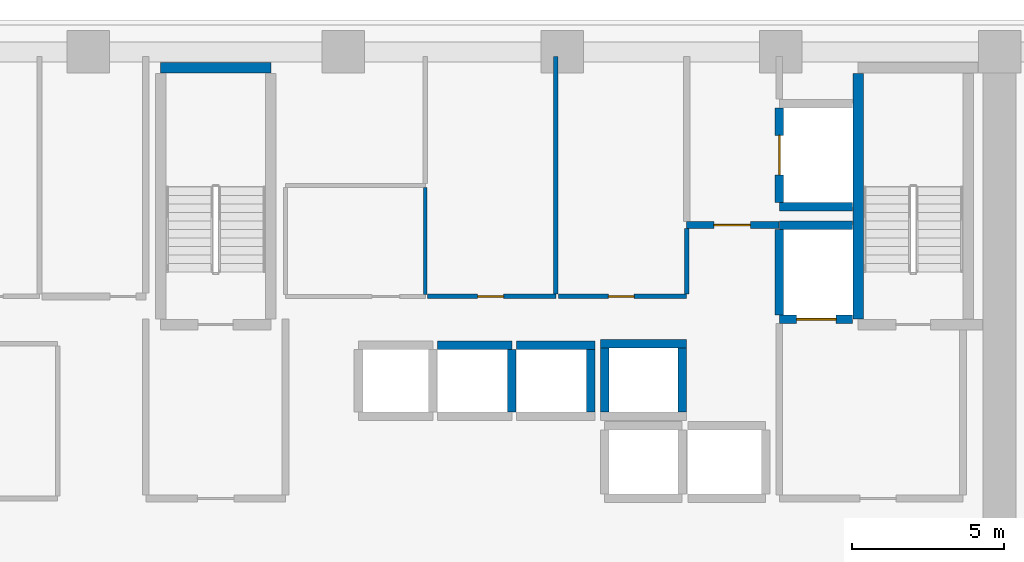
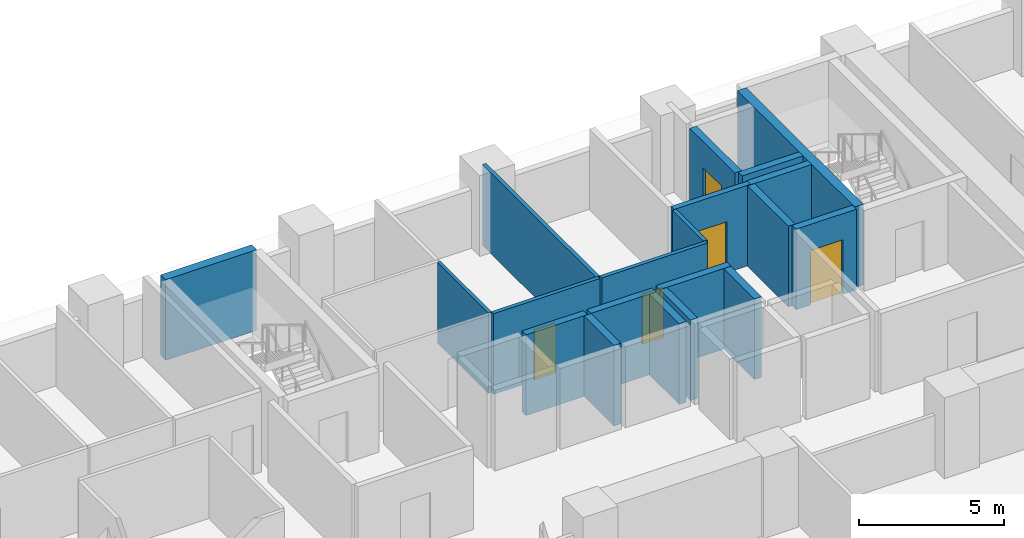
# One storey, part 7 of 14: 20 walls, 5 doors, 5 openings.
"""IFC4 building model written with IfcOpenShell, lengths in metres."""

from ifc_helpers import new_model, si_unit, direction, frame, frame_2d, origin, place, context, subcontext, project, spatial, rectangle, extrude, material, layer, layer_set, type_object, element, fill, save


model = new_model("IFC4")

# Units and contexts
model_context = context("Model", 3, precision=1e-05, world=origin(), true_north=direction((0.0, 1.0)))
body_context = subcontext(model_context, "Body", "Model", "MODEL_VIEW")
ifc_project = project(units=[si_unit("LENGTHUNIT", "METRE"), si_unit("AREAUNIT", "SQUARE_METRE"), si_unit("VOLUMEUNIT", "CUBIC_METRE"), si_unit("PLANEANGLEUNIT", "RADIAN"), si_unit("MASSUNIT", "GRAM", prefix="KILO")], contexts=[model_context])

# Site, building, storey
site_placement = place(None, origin())
site = spatial("IfcSite", under=ifc_project, at=site_placement, CompositionType="ELEMENT")
building_placement = place(site_placement, origin())
building = spatial("IfcBuilding", under=site, at=building_placement, Name="Kaelvorn Grand Hotel", CompositionType="ELEMENT")
storey_placement = place(building_placement, frame((0.0, 0.0, 76.39990234375)))
storey = spatial("IfcBuildingStorey", under=building, at=storey_placement, Name="L17", CompositionType="ELEMENT", Elevation=76.39990234375)

# Wall
ifc_material_1 = material(Name="Moisture-Resistant Tile & Stud Board")
ifc_layer_1 = layer(ifc_material_1, 0.125)
ifc_layer_set_1 = layer_set([ifc_layer_1], Name="Moisture-Resistant Tile & Stud Board")
wall_type_1 = type_object("IfcWallType", Name="WL-PART-125-WET", PredefinedType="PARTITIONING", material=ifc_layer_set_1)
wall_1_placement = place(storey_placement, frame((48.89990234375, 41.017578125, 0.0), z_axis=(0.0, 0.0, 1.0), x_axis=(0.0, 1.0, 0.0)))
element("IfcWall", 1, at=wall_1_placement, inside=storey, type_object=wall_type_1, Name="L17 Accessible WC E Partition", PredefinedType="PARTITIONING", context=body_context, shape_type="SweptSolid", body=[
    extrude(rectangle(XDim=3.514892578125, YDim=0.125, at=frame_2d((1.75732421875, 0.0))), origin(), (0.0, 0.0, 1.0), 3.400146484375),
])

# Wall, opening, door
ifc_material_2 = material(Name="Acoustic Gypsum & Stud Partition")
ifc_layer_2 = layer(ifc_material_2, 0.14990234375)
ifc_layer_set_2 = layer_set([ifc_layer_2], Name="Acoustic Gypsum & Stud Partition")
wall_type_2 = type_object("IfcWallType", Name="WL-PART-150-EI60", PredefinedType="PARTITIONING", material=ifc_layer_set_2)
wall_2_placement = place(storey_placement, frame((48.967529296875, 40.949951171875, 0.0), z_axis=(0.0, 0.0, 1.0), x_axis=(1.0, 0.0, 0.0)))
wall_2 = element("IfcWall", 2, at=wall_2_placement, inside=storey, type_object=wall_type_2, Name="L17 Minibar & Glassware Store S Partition", PredefinedType="PARTITIONING", context=body_context, shape_type="SweptSolid", body=[
    extrude(rectangle(XDim=4.232421875, YDim=0.14990234375, at=frame_2d((2.1162109375, 0.0))), origin(), (0.0, 0.0, 1.0), 3.400146484375),
])
opening_1_placement = place(wall_2_placement, frame((1.657470703125, 0.0, 0.0)))
opening_1 = element("IfcOpeningElement", 3, at=opening_1_placement, cuts=wall_2, Name="Opening DI7", PredefinedType="OPENING", context=body_context, shape_type="SweptSolid", body=[
    extrude(rectangle(XDim=0.85009765625, YDim=2.10009765625, at=frame_2d((0.425048828125, 1.050048828125))), frame((0.0, 0.0849609375, 0.0), z_axis=(0.0, -1.0, 0.0), x_axis=(1.0, 0.0, 0.0)), (0.0, 0.0, 1.0), 0.169921875),
])
ifc_material_3 = material(Name="Powder-Coated Steel Leaf", Category="steel")
door_type_1 = type_object("IfcDoorType", Name="DR-INT-RISER-850x2100", OperationType="NOTDEFINED", PredefinedType="DOOR", material=ifc_material_3)
door_1_placement = place(opening_1_placement, origin())
door_1 = element("IfcDoor", 4, at=door_1_placement, inside=storey, type_object=door_type_1, Name="L17 Minibar & Glassware Store Door", OperationType="SINGLE_SWING_LEFT", OverallHeight=2.10009765625, OverallWidth=0.85009765625, PredefinedType="DOOR", context=body_context, shape_type="SweptSolid", body=[
    extrude(rectangle(XDim=0.85009765625, YDim=2.10009765625, at=frame_2d((0.425048828125, 1.050048828125))), frame((0.0, 0.02490234375, 0.0), z_axis=(0.0, -1.0, 0.0), x_axis=(1.0, 0.0, 0.0)), (0.0, 0.0, 1.0), 0.050048828125),
])
fill(opening_1, door_1)

# Wall
wall_3_placement = place(storey_placement, frame((53.199951171875, 41.030029296875, 0.0), z_axis=(0.0, 0.0, 1.0), x_axis=(0.0, 1.0, 0.0)))
element("IfcWall", 5, at=wall_3_placement, inside=storey, type_object=wall_type_2, Name="L17 Minibar & Glassware Store E Partition", PredefinedType="PARTITIONING", context=body_context, shape_type="SweptSolid", body=[
    extrude(rectangle(XDim=7.820068359375, YDim=0.14990234375, at=frame_2d((3.91015625, 0.0))), origin(), (0.0, 0.0, 1.0), 3.400146484375),
])

# Wall, opening, door
wall_4_placement = place(storey_placement, frame((53.280029296875, 40.949951171875, 0.0), z_axis=(0.0, 0.0, 1.0), x_axis=(1.0, 0.0, 0.0)))
wall_4 = element("IfcWall", 6, at=wall_4_placement, inside=storey, type_object=wall_type_2, Name="L17 Floor IT & Comms Room S Partition", PredefinedType="PARTITIONING", context=body_context, shape_type="SweptSolid", body=[
    extrude(rectangle(XDim=4.219970703125, YDim=0.14990234375, at=frame_2d((2.10986328125, 0.0))), origin(), (0.0, 0.0, 1.0), 3.400146484375),
])
opening_2_placement = place(wall_4_placement, frame((1.64501953125, 0.0, 0.0)))
opening_2 = element("IfcOpeningElement", 7, at=opening_2_placement, cuts=wall_4, Name="Opening DI7", PredefinedType="OPENING", context=body_context, shape_type="SweptSolid", body=[
    extrude(rectangle(XDim=0.85009765625, YDim=2.10009765625, at=frame_2d((0.425048828125, 1.050048828125))), frame((0.0, 0.0849609375, 0.0), z_axis=(0.0, -1.0, 0.0), x_axis=(1.0, 0.0, 0.0)), (0.0, 0.0, 1.0), 0.169921875),
])
door_2_placement = place(opening_2_placement, origin())
door_2 = element("IfcDoor", 8, at=door_2_placement, inside=storey, type_object=door_type_1, Name="L17 Floor IT & Comms Room Door", OperationType="SINGLE_SWING_RIGHT", OverallHeight=2.10009765625, OverallWidth=0.85009765625, PredefinedType="DOOR", context=body_context, shape_type="SweptSolid", body=[
    extrude(rectangle(XDim=0.85009765625, YDim=2.10009765625, at=frame_2d((0.425048828125, 1.050048828125))), frame((0.0, 0.02490234375, 0.0), z_axis=(0.0, -1.0, 0.0), x_axis=(1.0, 0.0, 0.0)), (0.0, 0.0, 1.0), 0.050048828125),
])
fill(opening_2, door_2)

# Wall
wall_5_placement = place(storey_placement, frame((57.5, 41.030029296875, 0.0), z_axis=(0.0, 0.0, 1.0), x_axis=(0.0, 1.0, 0.0)))
element("IfcWall", 9, at=wall_5_placement, inside=storey, type_object=wall_type_2, Name="L17 Floor IT & Comms Room E Partition", PredefinedType="PARTITIONING", context=body_context, shape_type="SweptSolid", body=[
    extrude(rectangle(XDim=2.155029296875, YDim=0.14990234375, at=frame_2d((1.07763671875, 0.0))), origin(), (0.0, 0.0, 1.0), 3.400146484375),
])

# Wall, opening, door
ifc_material_4 = material(Name="Concrete C40/50", Category="concrete")
ifc_layer_3 = layer(ifc_material_4, 0.219970703125)
ifc_layer_set_3 = layer_set([ifc_layer_3], Name="Concrete C40/50")
wall_type_3 = type_object("IfcWallType", Name="WL-PART-220-EI120", PredefinedType="PARTITIONING", material=ifc_layer_set_3)
wall_6_placement = place(storey_placement, frame((57.5, 43.300048828125, 0.0), z_axis=(0.0, 0.0, 1.0), x_axis=(1.0, 0.0, 0.0)))
wall_6 = element("IfcWall", 10, at=wall_6_placement, inside=storey, type_object=wall_type_3, Name="L17 Service Lift Lobby S Partition", PredefinedType="PARTITIONING", context=body_context, shape_type="SweptSolid", body=[
    extrude(rectangle(XDim=3.0400390625, YDim=0.219970703125, at=frame_2d((1.52001953125, 0.0))), origin(), (0.0, 0.0, 1.0), 3.400146484375),
])
opening_3_placement = place(wall_6_placement, frame((0.89990234375, 0.0, 0.0)))
opening_3 = element("IfcOpeningElement", 11, at=opening_3_placement, cuts=wall_6, Name="Opening DI2", PredefinedType="OPENING", context=body_context, shape_type="SweptSolid", body=[
    extrude(rectangle(XDim=1.199951171875, YDim=2.14990234375, at=frame_2d((0.60009765625, 1.074951171875))), frame((0.0, 0.1201171875, 0.0), z_axis=(0.0, -1.0, 0.0), x_axis=(1.0, 0.0, 0.0)), (0.0, 0.0, 1.0), 0.239990234375),
])
ifc_material_5 = material(Name="Timber Veneer Fire Leaf", Category="wood")
door_type_2 = type_object("IfcDoorType", Name="DR-INT-FFLOB-1200x2150", OperationType="NOTDEFINED", PredefinedType="DOOR", material=ifc_material_5)
door_3_placement = place(opening_3_placement, origin())
door_3 = element("IfcDoor", 12, at=door_3_placement, inside=storey, type_object=door_type_2, Name="L17 Service Lift Lobby Door", OperationType="SINGLE_SWING_LEFT", OverallHeight=2.14990234375, OverallWidth=1.199951171875, PredefinedType="DOOR", context=body_context, shape_type="SweptSolid", body=[
    extrude(rectangle(XDim=1.199951171875, YDim=2.14990234375, at=frame_2d((0.60009765625, 1.074951171875))), frame((0.0, 0.02490234375, 0.0), z_axis=(0.0, -1.0, 0.0), x_axis=(1.0, 0.0, 0.0)), (0.0, 0.0, 1.0), 0.050048828125),
])
fill(opening_3, door_3)

# Walls
ifc_material_6 = material(Name="Concrete C50/60", Category="concrete")
ifc_layer_4 = layer(ifc_material_6, 0.280029296875)
ifc_layer_set_4 = layer_set([ifc_layer_4], Name="Concrete C50/60")
wall_type_4 = type_object("IfcWallType", Name="WL-SHAFT-280-C50", PredefinedType="SHEAR", material=ifc_layer_set_4)
wall_7_placement = place(storey_placement, frame((49.300048828125, 39.35009765625, 0.0), z_axis=(0.0, 0.0, 1.0), x_axis=(1.0, 0.0, 0.0)))
element("IfcWall", 13, at=wall_7_placement, inside=storey, type_object=wall_type_4, Name="L17 Lift SL-2 Shaft North Wall", PredefinedType="SHEAR", context=body_context, shape_type="SweptSolid", body=[
    extrude(rectangle(XDim=2.449951171875, YDim=0.280029296875, at=frame_2d((1.22509765625, 0.0))), origin(), (0.0, 0.0, 1.0), 3.400146484375),
])
wall_8_placement = place(storey_placement, frame((51.75, 37.14501953125, 0.0), z_axis=(0.0, 0.0, 1.0), x_axis=(0.0, 1.0, 0.0)))
element("IfcWall", 14, at=wall_8_placement, inside=storey, type_object=wall_type_4, Name="L17 Lift SL-2 Shaft East Wall", PredefinedType="SHEAR", context=body_context, shape_type="SweptSolid", body=[
    extrude(rectangle(XDim=2.06005859375, YDim=0.280029296875, at=frame_2d((1.030029296875, 0.0))), origin(), (0.0, 0.0, 1.0), 3.400146484375),
])
wall_9_placement = place(storey_placement, frame((51.89990234375, 39.35009765625, 0.0), z_axis=(0.0, 0.0, 1.0), x_axis=(1.0, 0.0, 0.0)))
element("IfcWall", 15, at=wall_9_placement, inside=storey, type_object=wall_type_4, Name="L17 Lift SL-3 Shaft North Wall", PredefinedType="SHEAR", context=body_context, shape_type="SweptSolid", body=[
    extrude(rectangle(XDim=2.590087890625, YDim=0.280029296875, at=frame_2d((1.294921875, 0.0))), origin(), (0.0, 0.0, 1.0), 3.400146484375),
])
wall_10_placement = place(storey_placement, frame((54.35009765625, 37.14501953125, 0.0), z_axis=(0.0, 0.0, 1.0), x_axis=(0.0, 1.0, 0.0)))
element("IfcWall", 16, at=wall_10_placement, inside=storey, type_object=wall_type_4, Name="L17 Lift SL-3 Shaft East Wall", PredefinedType="SHEAR", context=body_context, shape_type="SweptSolid", body=[
    extrude(rectangle(XDim=2.06005859375, YDim=0.280029296875, at=frame_2d((1.030029296875, 0.0))), origin(), (0.0, 0.0, 1.0), 3.400146484375),
])
wall_11_placement = place(storey_placement, frame((54.659912109375, 39.39990234375, 0.0), z_axis=(0.0, 0.0, 1.0), x_axis=(1.0, 0.0, 0.0)))
element("IfcWall", 17, at=wall_11_placement, inside=storey, type_object=wall_type_4, Name="L17 Lift OL-3 Shaft North Wall", PredefinedType="SHEAR", context=body_context, shape_type="SweptSolid", body=[
    extrude(rectangle(XDim=2.830078125, YDim=0.280029296875, at=frame_2d((1.4150390625, 0.0))), origin(), (0.0, 0.0, 1.0), 3.400146484375),
])
for number, where, z_axis, x_axis, name in (
    (18, (54.800048828125, 37.14501953125, 0.0), (0.0, 0.0, 1.0), (0.0, 1.0, 0.0), "L17 Lift OL-3 Shaft West Wall"),
    (19, (57.35009765625, 37.14501953125, 0.0), (0.0, 0.0, 1.0), (0.0, 1.0, 0.0), "L17 Lift OL-3 Shaft East Wall"),
):
    element("IfcWall", number, at=place(storey_placement, frame(where, z_axis=z_axis, x_axis=x_axis)), inside=storey, type_object=wall_type_4, Name=name, PredefinedType="SHEAR", context=body_context, shape_type="SweptSolid", body=[
        extrude(rectangle(XDim=2.10986328125, YDim=0.280029296875, at=frame_2d((1.054931640625, 0.0))), origin(), (0.0, 0.0, 1.0), 3.400146484375),
    ])

# Wall, opening, door
wall_12_placement = place(storey_placement, frame((60.550048828125, 40.199951171875, 0.0), z_axis=(0.0, 0.0, 1.0), x_axis=(1.0, 0.0, 0.0)))
wall_12 = element("IfcWall", 20, at=wall_12_placement, inside=storey, type_object=wall_type_4, Name="L17 Lift FFL2 Shaft South Wall", PredefinedType="SHEAR", context=body_context, shape_type="SweptSolid", body=[
    extrude(rectangle(XDim=2.4150390625, YDim=0.280029296875, at=frame_2d((1.20751953125, 0.0))), origin(), (0.0, 0.0, 1.0), 3.400146484375),
])
opening_4_placement = place(wall_12_placement, frame((0.574951171875, 0.0, 0.0)))
opening_4 = element("IfcOpeningElement", 21, at=opening_4_placement, cuts=wall_12, Name="Opening LD-FFL2", PredefinedType="OPENING", context=body_context, shape_type="SweptSolid", body=[
    extrude(rectangle(XDim=1.300048828125, YDim=2.300048828125, at=frame_2d((0.64990234375, 1.14990234375))), frame((0.0, 0.14990234375, 0.0), z_axis=(0.0, -1.0, 0.0), x_axis=(1.0, 0.0, 0.0)), (0.0, 0.0, 1.0), 0.300048828125),
])
ifc_material_7 = material(Name="Stainless Steel", Category="steel")
door_type_3 = type_object("IfcDoorType", Name="DR-LIFT-SERV-1300x2300", OperationType="DOUBLE_DOOR_SLIDING", PredefinedType="DOOR", material=ifc_material_7)
door_4_placement = place(opening_4_placement, origin())
door_4 = element("IfcDoor", 22, at=door_4_placement, inside=storey, type_object=door_type_3, Name="L17 Lift FFL2 Sliding Landing Door LD-FFL2", OperationType="DOUBLE_DOOR_SLIDING", OverallHeight=2.300048828125, OverallWidth=1.300048828125, PredefinedType="DOOR", context=body_context, shape_type="SweptSolid", body=[
    extrude(rectangle(XDim=1.300048828125, YDim=2.300048828125, at=frame_2d((0.64990234375, 1.14990234375))), frame((0.0, 0.02490234375, 0.0), z_axis=(0.0, -1.0, 0.0), x_axis=(1.0, 0.0, 0.0)), (0.0, 0.0, 1.0), 0.050048828125),
])
fill(opening_4, door_4)

# Walls
wall_13_placement = place(storey_placement, frame((60.550048828125, 43.300048828125, 0.0), z_axis=(0.0, 0.0, 1.0), x_axis=(1.0, 0.0, 0.0)))
element("IfcWall", 23, at=wall_13_placement, inside=storey, type_object=wall_type_4, Name="L17 Lift FFL2 Shaft North Wall", PredefinedType="SHEAR", context=body_context, shape_type="SweptSolid", body=[
    extrude(rectangle(XDim=2.4150390625, YDim=0.280029296875, at=frame_2d((1.20751953125, 0.0))), origin(), (0.0, 0.0, 1.0), 3.400146484375),
])
wall_14_placement = place(storey_placement, frame((60.550048828125, 40.344970703125, 0.0), z_axis=(0.0, 0.0, 1.0), x_axis=(0.0, 1.0, 0.0)))
element("IfcWall", 24, at=wall_14_placement, inside=storey, type_object=wall_type_4, Name="L17 Lift FFL2 Shaft West Wall", PredefinedType="SHEAR", context=body_context, shape_type="SweptSolid", body=[
    extrude(rectangle(XDim=2.81005859375, YDim=0.280029296875, at=frame_2d((1.405029296875, 0.0))), origin(), (0.0, 0.0, 1.0), 3.400146484375),
])
wall_15_placement = place(storey_placement, frame((60.550048828125, 43.89990234375, 0.0), z_axis=(0.0, 0.0, 1.0), x_axis=(1.0, 0.0, 0.0)))
element("IfcWall", 25, at=wall_15_placement, inside=storey, type_object=wall_type_4, Name="L17 Lift SV1 Shaft South Wall", PredefinedType="SHEAR", context=body_context, shape_type="SweptSolid", body=[
    extrude(rectangle(XDim=2.4150390625, YDim=0.280029296875, at=frame_2d((1.20751953125, 0.0))), origin(), (0.0, 0.0, 1.0), 3.400146484375),
])

# Wall, opening, door
wall_16_placement = place(storey_placement, frame((60.550048828125, 44.044921875, 0.0), z_axis=(0.0, 0.0, 1.0), x_axis=(0.0, 1.0, 0.0)))
wall_16 = element("IfcWall", 26, at=wall_16_placement, inside=storey, type_object=wall_type_4, Name="L17 Lift SV1 Shaft West Wall", PredefinedType="SHEAR", context=body_context, shape_type="SweptSolid", body=[
    extrude(rectangle(XDim=3.110107421875, YDim=0.280029296875, at=frame_2d((1.55517578125, 0.0))), origin(), (0.0, 0.0, 1.0), 3.400146484375),
])
opening_5_placement = place(wall_16_placement, frame((0.905029296875, 0.0, 0.0)))
opening_5 = element("IfcOpeningElement", 27, at=opening_5_placement, cuts=wall_16, Name="Opening LD-SV1", PredefinedType="OPENING", context=body_context, shape_type="SweptSolid", body=[
    extrude(rectangle(XDim=1.300048828125, YDim=2.300048828125, at=frame_2d((0.64990234375, 1.14990234375))), frame((0.0, 0.14990234375, 0.0), z_axis=(0.0, -1.0, 0.0), x_axis=(1.0, 0.0, 0.0)), (0.0, 0.0, 1.0), 0.300048828125),
])
door_5_placement = place(opening_5_placement, origin())
door_5 = element("IfcDoor", 28, at=door_5_placement, inside=storey, type_object=door_type_3, Name="L17 Lift SV1 Sliding Landing Door LD-SV1", OperationType="DOUBLE_DOOR_SLIDING", OverallHeight=2.300048828125, OverallWidth=1.300048828125, PredefinedType="DOOR", context=body_context, shape_type="SweptSolid", body=[
    extrude(rectangle(XDim=1.300048828125, YDim=2.300048828125, at=frame_2d((0.64990234375, 1.14990234375))), frame((0.0, 0.02490234375, 0.0), z_axis=(0.0, -1.0, 0.0), x_axis=(1.0, 0.0, 0.0)), (0.0, 0.0, 1.0), 0.050048828125),
])
fill(opening_5, door_5)

# Walls
ifc_material_8 = material(Name="Concrete C60/75", Category="concrete")
ifc_layer_5 = layer(ifc_material_8, 0.35009765625)
ifc_layer_set_5 = layer_set([ifc_layer_5], Name="Concrete C60/75")
wall_type_5 = type_object("IfcWallType", Name="WL-SHAFT-350-C60", PredefinedType="SHEAR", material=ifc_layer_set_5)
wall_17_placement = place(storey_placement, frame((40.18505859375, 48.47509765625, 0.0), z_axis=(0.0, 0.0, 1.0), x_axis=(1.0, 0.0, 0.0)))
element("IfcWall", 29, at=wall_17_placement, inside=storey, type_object=wall_type_5, Name="L17 ST2 Stair Shaft North Wall", PredefinedType="SHEAR", context=body_context, shape_type="SweptSolid", body=[
    extrude(rectangle(XDim=3.6298828125, YDim=0.35009765625, at=frame_2d((1.81494140625, 0.0))), origin(), (0.0, 0.0, 1.0), 3.400146484375),
])
wall_18_placement = place(storey_placement, frame((63.14501953125, 40.205078125, 0.0), z_axis=(0.0, 0.0, 1.0), x_axis=(0.0, 1.0, 0.0)))
element("IfcWall", 30, at=wall_18_placement, inside=storey, type_object=wall_type_5, Name="L17 ST3 Stair Shaft West Wall", PredefinedType="SHEAR", context=body_context, shape_type="SweptSolid", body=[
    extrude(rectangle(XDim=8.08984375, YDim=0.35009765625, at=frame_2d((4.044921875, 0.0))), origin(), (0.0, 0.0, 1.0), 3.400146484375),
])

save(model, "model.ifc")
